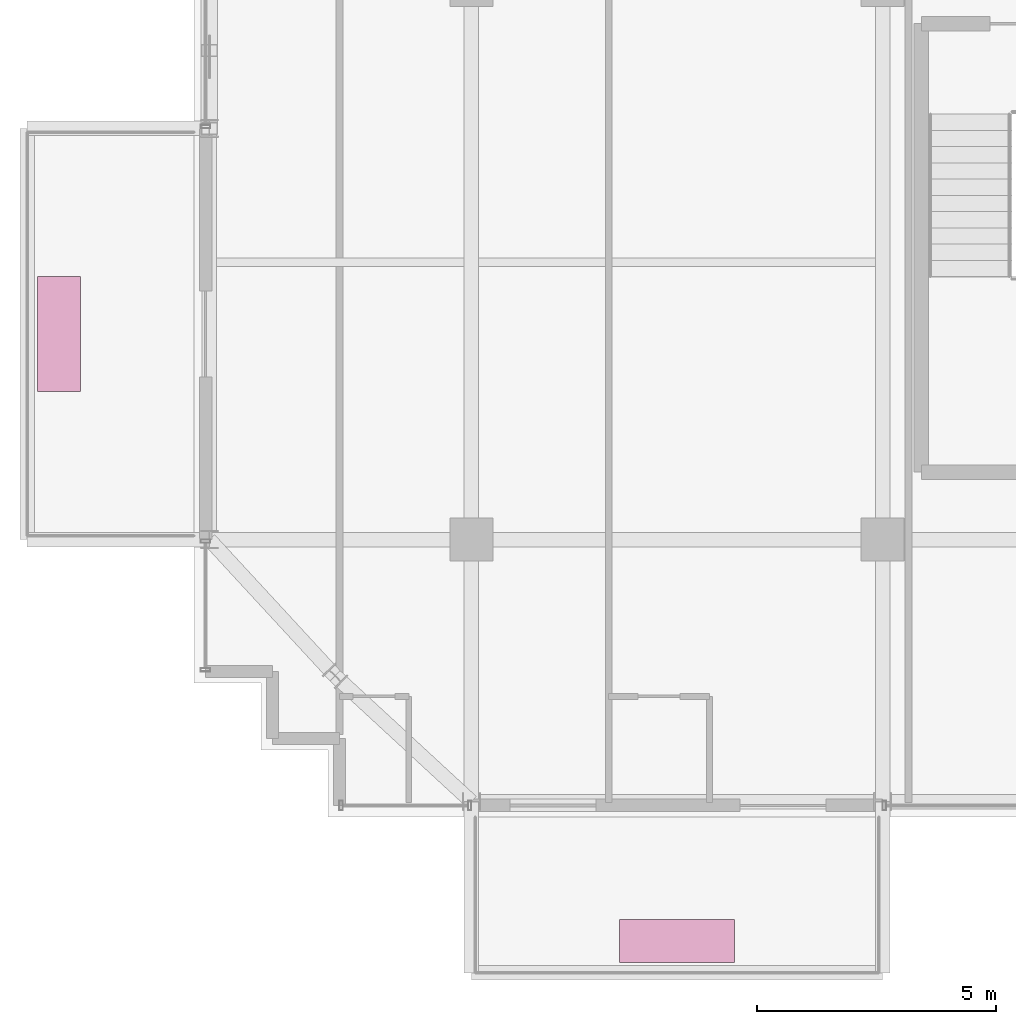
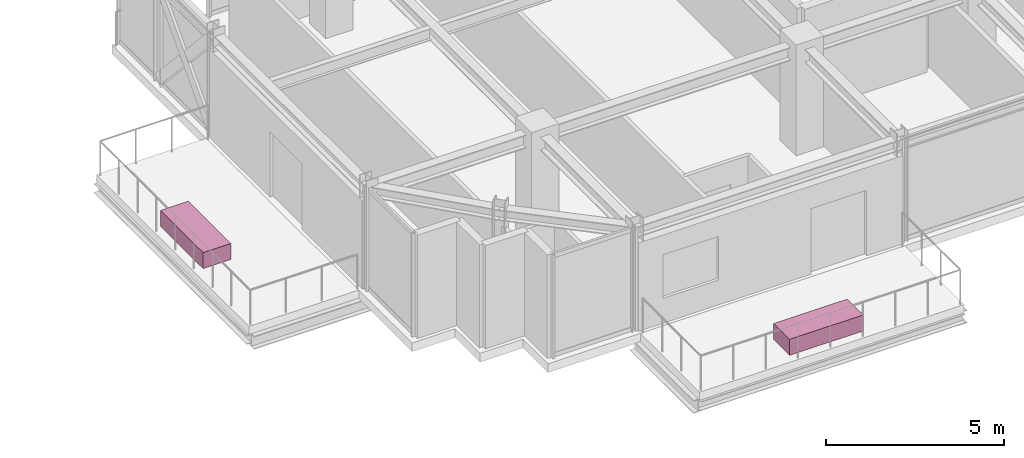
# One storey, part 37 of 37: 2 furnishings.
"""IFC4 building model written with IfcOpenShell, lengths in metres."""

from ifc_helpers import new_model, si_unit, direction, frame, origin, origin_2d, place, context, subcontext, project, spatial, rectangle, extrude, source, transform, mapped, material, type_object, element, save


model = new_model("IFC4")

# Units and contexts
model_context = context("Model", 3, precision=1e-05, world=origin(), true_north=direction((0.0, 1.0)))
body_context = subcontext(model_context, "Body", "Model", "MODEL_VIEW")
ifc_project = project(units=[si_unit("LENGTHUNIT", "METRE"), si_unit("AREAUNIT", "SQUARE_METRE"), si_unit("VOLUMEUNIT", "CUBIC_METRE"), si_unit("PLANEANGLEUNIT", "RADIAN"), si_unit("MASSUNIT", "GRAM", prefix="KILO")], contexts=[model_context])

# Site, building, storey
site_placement = place(None, origin())
site = spatial("IfcSite", under=ifc_project, at=site_placement, CompositionType="ELEMENT")
building_placement = place(site_placement, origin())
building = spatial("IfcBuilding", under=site, at=building_placement, Name="Nahalor Promenade Grand Hotel", CompositionType="ELEMENT")
storey_placement = place(building_placement, frame((0.0, 0.0, 308.050048828125)))
storey = spatial("IfcBuildingStorey", under=building, at=storey_placement, Name="L79", CompositionType="ELEMENT", Elevation=308.050048828125)

# Furnishings
ifc_material = material(Name="Vegetated Volcanic-Lapilli Tree Planter", Category="earth")
furnishing_element_type = type_object("IfcFurnishingElementType", Name="Planter-VerticalForest-Box", material=ifc_material)
shared_shape = source(origin(), body_context, "Body", "SweptSolid", [
    extrude(rectangle(XDim=2.39990234375, YDim=0.89990234375, at=origin_2d()), origin(), (0.0, 0.0, 1.0), 0.550048828125),
])
for number, where, z_axis, x_axis, name in (
    (1, (-12.699951171875, -25.389892578125, 0.0), (0.0, 0.0, 1.0), (1.0, 0.0, 0.0), "L79 Balcony Structural Tree Planter 1"),
    (2, (-25.6201171875, -12.699951171875, 0.0), (0.0, 0.0, 1.0), (0.0, 1.0, 0.0), "L79 Balcony Structural Tree Planter 2"),
):
    element("IfcFurnishingElement", number, at=place(storey_placement, frame(where, z_axis=z_axis, x_axis=x_axis)), inside=storey, type_object=furnishing_element_type, Name=name, ObjectType="PLANTER", context=body_context, shape_type="MappedRepresentation", body=[
        mapped(shared_shape, transform((0.0, 0.0, 0.0), scale=1.0)),
    ])

save(model, "model.ifc")
